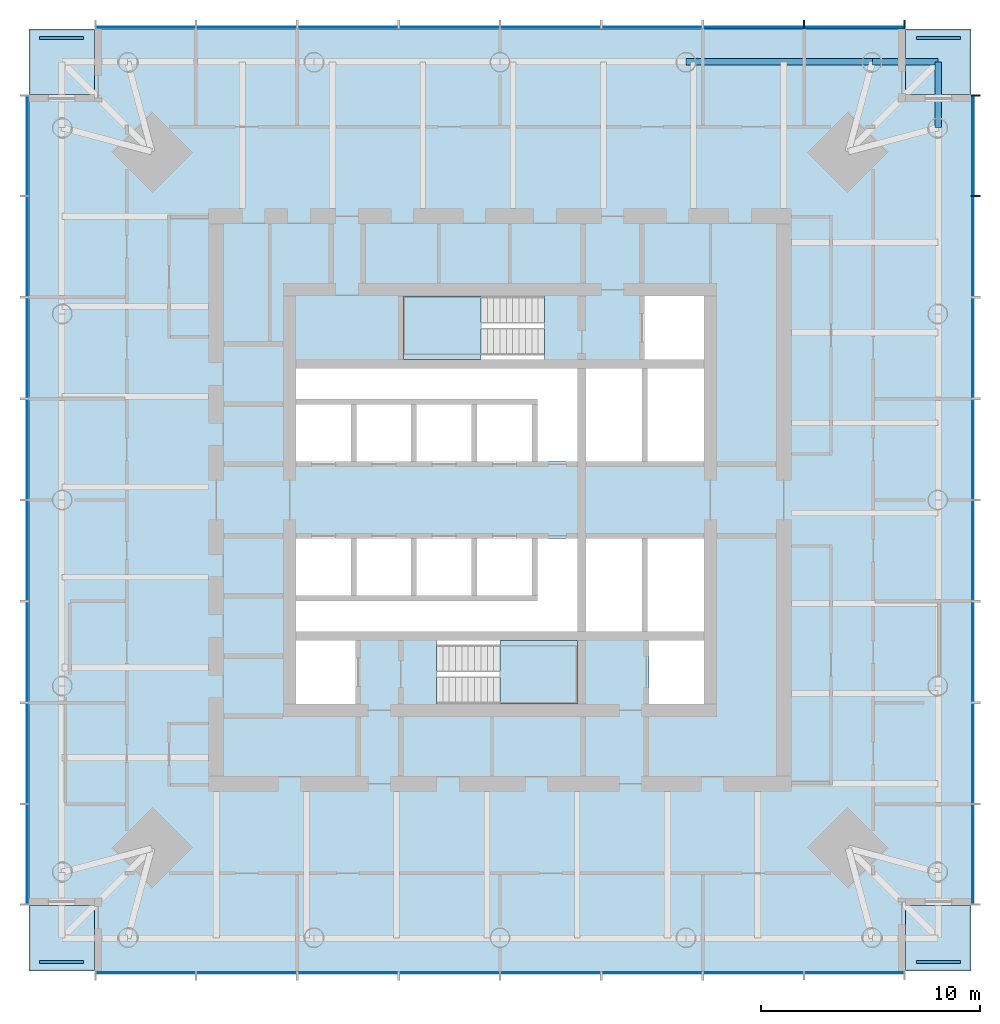
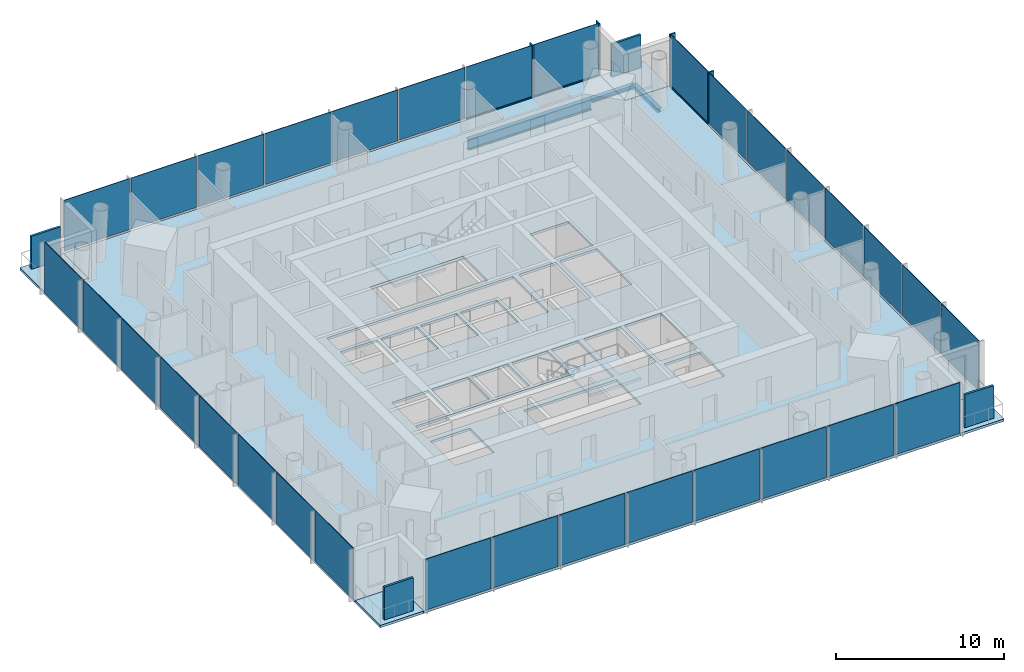
# One storey, part 3 of 9: 36 plates, 7 members, 7 slabs, 3 beams, 6 elements without a shape of their own.
"""IFC4 building model written with IfcOpenShell, lengths in metres."""

from ifc_helpers import new_model, si_unit, direction, frame, origin, origin_2d, place, context, subcontext, project, spatial, polyline, rectangle, i_section, outline, extrude, material, layer, layer_set, material_profile, profile_set, type_object, element, aggregate, save


model = new_model("IFC4")

# Units and contexts
model_context = context("Model", 3, precision=1e-05, world=origin(), true_north=direction((0.0, 1.0)))
body_context = subcontext(model_context, "Body", "Model", "MODEL_VIEW")
ifc_project = project(units=[si_unit("LENGTHUNIT", "METRE"), si_unit("AREAUNIT", "SQUARE_METRE"), si_unit("VOLUMEUNIT", "CUBIC_METRE"), si_unit("PLANEANGLEUNIT", "RADIAN"), si_unit("MASSUNIT", "GRAM", prefix="KILO")], contexts=[model_context])

# Site, building, storey
site_placement = place(None, origin())
site = spatial("IfcSite", under=ifc_project, at=site_placement, CompositionType="ELEMENT")
building_placement = place(site_placement, origin())
building = spatial("IfcBuilding", under=site, at=building_placement, Name="Ostroluk Exchange", CompositionType="ELEMENT")
storey_placement = place(building_placement, frame((0.0, 0.0, 146.39990234375)))
storey = spatial("IfcBuildingStorey", under=building, at=storey_placement, Name="L37", CompositionType="ELEMENT", Elevation=146.39990234375)

# Beams
ifc_material_1 = material(Name="Steel S355", Category="steel")
ifc_material_profile_1 = material_profile(ifc_material_1, i_section(OverallWidth=0.300048828125, OverallDepth=0.300048828125, WebThickness=0.010986328125, FlangeThickness=0.01904296875, FilletRadius=0.027099609375, at=origin_2d()), Name="HEB 300")
ifc_profile_set_1 = profile_set([ifc_material_profile_1], Name="Steel S355")
beam_type_1 = type_object("IfcBeamType", Name="Balcony beam HEB 300", PredefinedType="BEAM", material=ifc_profile_set_1)
for number, where, z_axis, x_axis, name in (
    (1, (64.992919921875, 62.992919921875, -0.329833984375), (0.0, 1.0, 0.0), (-1.0, 0.0, 0.0), "T1 east balcony beam a"),
    (2, (61.992919921875, 65.992919921875, -0.329833984375), (1.0, 0.0, 0.0), (0.0, 1.0, 0.0), "T1 east balcony beam b"),
):
    element("IfcBeam", number, at=place(storey_placement, frame(where, z_axis=z_axis, x_axis=x_axis)), inside=storey, type_object=beam_type_1, Name=name, PredefinedType="BEAM", context=body_context, shape_type="SweptSolid", body=[
        extrude(i_section(OverallWidth=0.300048828125, OverallDepth=0.300048828125, WebThickness=0.010986328125, FlangeThickness=0.01904296875, FilletRadius=0.027099609375, at=origin_2d()), origin(), (0.0, 0.0, 1.0), 3.0),
    ])
ifc_material_2 = material(Name="Steel S355", Category="steel")
ifc_material_profile_2 = material_profile(ifc_material_2, i_section(OverallWidth=0.300048828125, OverallDepth=0.800048828125, WebThickness=0.017578125, FlangeThickness=0.032958984375, FilletRadius=0.030029296875, at=origin_2d()), Name="HEB 800")
ifc_profile_set_2 = profile_set([ifc_material_profile_2], Name="Steel S355")
beam_type_2 = type_object("IfcBeamType", Name="Moment-connected edge beam HEB 800", PredefinedType="SPANDREL", material=ifc_profile_set_2)
beam_placement = place(storey_placement, frame((61.992919921875, 65.992919921875, -0.579833984375), z_axis=(-1.0, 0.0, 0.0), x_axis=(0.0, -1.0, 0.0)))
element("IfcBeam", 3, at=beam_placement, inside=storey, type_object=beam_type_2, Name="T1 north edge beam 1", PredefinedType="SPANDREL", context=body_context, shape_type="SweptSolid", body=[
    extrude(i_section(OverallWidth=0.300048828125, OverallDepth=0.800048828125, WebThickness=0.017578125, FlangeThickness=0.032958984375, FilletRadius=0.030029296875, at=origin_2d()), origin(), (0.0, 0.0, 1.0), 8.49658203125),
])

# Curtain wall, member
ifc_material_3 = material(Name="Laminated clear glass", Category="glass")
curtain_wall_type = type_object("IfcCurtainWallType", Name="Office tower facade", PredefinedType="USERDEFINED", material=ifc_material_3)
curtain_wall_1_placement = place(storey_placement, origin())
curtain_wall_1 = element("IfcCurtainWall", 4, at=curtain_wall_1_placement, inside=storey, type_object=curtain_wall_type, Name="Office tower east facade L37", ObjectType="UNITISED CURTAIN WALL", PredefinedType="USERDEFINED")
ifc_material_4 = material(Name="Aluminium mullion", Category="aluminium")
ifc_material_profile_3 = material_profile(ifc_material_4, rectangle(XDim=0.14990234375, YDim=0.080078125, at=origin_2d()), Name="Sill transom 80 x 150")
ifc_profile_set_3 = profile_set([ifc_material_profile_3], Name="Aluminium mullion")
member_type_1 = type_object("IfcMemberType", Name="Sill transom 80 x 150", PredefinedType="USERDEFINED", material=ifc_profile_set_3)
member_1_placement = place(storey_placement, frame((66.574951171875, 59.9150390625, 0.0400390625), z_axis=(0.0, 1.0, 0.0), x_axis=(-1.0, 0.0, 0.0)))
member_1 = element("IfcMember", 5, at=member_1_placement, type_object=member_type_1, Name="CW-O1 transom 8.1", ObjectType="TRANSOM", PredefinedType="USERDEFINED", context=body_context, shape_type="SweptSolid", body=[
    extrude(rectangle(XDim=0.14990234375, YDim=0.080078125, at=origin_2d()), origin(), (0.0, 0.0, 1.0), 4.5048828125),
])

# Curtain wall, members
curtain_wall_2_placement = place(storey_placement, origin())
curtain_wall_2 = element("IfcCurtainWall", 6, at=curtain_wall_2_placement, inside=storey, type_object=curtain_wall_type, Name="Office tower north facade L37", ObjectType="UNITISED CURTAIN WALL", PredefinedType="USERDEFINED")
member_2_placement = place(storey_placement, frame((63.419921875, 67.574951171875, 0.0400390625), z_axis=(-1.0, 0.0, 0.0), x_axis=(0.0, -1.0, 0.0)))
member_2 = element("IfcMember", 7, at=member_2_placement, type_object=member_type_1, Name="CW-O1 transom 1.1", ObjectType="TRANSOM", PredefinedType="USERDEFINED", context=body_context, shape_type="SweptSolid", body=[
    extrude(rectangle(XDim=0.14990234375, YDim=0.080078125, at=origin_2d()), origin(), (0.0, 0.0, 1.0), 4.5048828125),
])
member_3_placement = place(storey_placement, frame((58.8349609375, 67.574951171875, 0.0400390625), z_axis=(-1.0, 0.0, 0.0), x_axis=(0.0, -1.0, 0.0)))
member_3 = element("IfcMember", 8, at=member_3_placement, type_object=member_type_1, Name="CW-O1 transom 2.1", ObjectType="TRANSOM", PredefinedType="USERDEFINED", context=body_context, shape_type="SweptSolid", body=[
    extrude(rectangle(XDim=0.14990234375, YDim=0.080078125, at=origin_2d()), origin(), (0.0, 0.0, 1.0), 4.544921875),
])

# Member
ifc_material_5 = material(Name="Aluminium mullion with limestone facing", Category="masonry")
ifc_material_profile_4 = material_profile(ifc_material_5, rectangle(XDim=0.39990234375, YDim=0.080078125, at=origin_2d()), Name="Tracery mullion 80 x 400")
ifc_profile_set_4 = profile_set([ifc_material_profile_4], Name="Aluminium mullion with limestone facing")
member_type_2 = type_object("IfcMemberType", Name="Tracery mullion 80 x 400", PredefinedType="MULLION", material=ifc_profile_set_4)
member_4_placement = place(storey_placement, frame((66.699951171875, 59.875, 0.0), z_axis=(0.0, 0.0, 1.0), x_axis=(-1.0, 0.0, 0.0)))
member_4 = element("IfcMember", 9, at=member_4_placement, type_object=member_type_2, Name="CW-O1 mullion 8", PredefinedType="MULLION", context=body_context, shape_type="SweptSolid", body=[
    extrude(rectangle(XDim=0.39990234375, YDim=0.080078125, at=origin_2d()), origin(), (0.0, 0.0, 1.0), 3.800048828125),
])

member_5_placement = place(storey_placement, frame((66.699951171875, 64.4599609375, 0.0), z_axis=(0.0, 0.0, 1.0), x_axis=(-1.0, 0.0, 0.0)))
member_5 = element("IfcMember", 10, at=member_5_placement, type_object=member_type_2, Name="CW-O1 mullion 9", PredefinedType="MULLION", context=body_context, shape_type="SweptSolid", body=[
    extrude(rectangle(XDim=0.39990234375, YDim=0.080078125, at=origin_2d()), origin(), (0.0, 0.0, 1.0), 3.800048828125),
])

member_6_placement = place(storey_placement, frame((63.4599609375, 67.699951171875, 0.0), z_axis=(0.0, 0.0, 1.0), x_axis=(0.0, -1.0, 0.0)))
member_6 = element("IfcMember", 11, at=member_6_placement, type_object=member_type_2, Name="CW-O1 mullion 1", PredefinedType="MULLION", context=body_context, shape_type="SweptSolid", body=[
    extrude(rectangle(XDim=0.39990234375, YDim=0.080078125, at=origin_2d()), origin(), (0.0, 0.0, 1.0), 3.800048828125),
])

member_7_placement = place(storey_placement, frame((58.875, 67.699951171875, 0.0), z_axis=(0.0, 0.0, 1.0), x_axis=(0.0, -1.0, 0.0)))
member_7 = element("IfcMember", 12, at=member_7_placement, type_object=member_type_2, Name="CW-O1 mullion 2", PredefinedType="MULLION", context=body_context, shape_type="SweptSolid", body=[
    extrude(rectangle(XDim=0.39990234375, YDim=0.080078125, at=origin_2d()), origin(), (0.0, 0.0, 1.0), 3.800048828125),
])

# Slabs
ifc_material_6 = material(Name="Concrete C35/45", Category="concrete")
ifc_layer_1 = layer(ifc_material_6, 0.179931640625)
ifc_layer_set_1 = layer_set([ifc_layer_1], Name="Balcony slab 180")
slab_type_1 = type_object("IfcSlabType", Name="Balcony slab 180", PredefinedType="USERDEFINED", material=ifc_layer_set_1)
slab_1_placement = place(storey_placement, frame((0.0, 0.0, -0.179931640625)))
element("IfcSlab", 13, at=slab_1_placement, inside=storey, type_object=slab_type_1, Name="Office tower SE corner balcony L37", ObjectType="BALCONY", PredefinedType="USERDEFINED", context=body_context, shape_type="SweptSolid", body=[
    extrude(outline(polyline([(63.5, 24.5), (66.5, 24.5), (66.5, 27.5), (63.5, 27.5), (63.5, 24.5)])), origin(), (0.0, 0.0, 1.0), 0.179931640625),
])
slab_2_placement = place(storey_placement, frame((0.0, 0.0, -0.179931640625)))
element("IfcSlab", 14, at=slab_2_placement, inside=storey, type_object=slab_type_1, Name="Office tower NE corner balcony L37", ObjectType="BALCONY", PredefinedType="USERDEFINED", context=body_context, shape_type="SweptSolid", body=[
    extrude(outline(polyline([(63.5, 64.5), (66.5, 64.5), (66.5, 67.5), (63.5, 67.5), (63.5, 64.5)])), origin(), (0.0, 0.0, 1.0), 0.179931640625),
])
slab_3_placement = place(storey_placement, frame((0.0, 0.0, -0.179931640625)))
element("IfcSlab", 15, at=slab_3_placement, inside=storey, type_object=slab_type_1, Name="Office tower NW corner balcony L37", ObjectType="BALCONY", PredefinedType="USERDEFINED", context=body_context, shape_type="SweptSolid", body=[
    extrude(outline(polyline([(23.5, 64.5), (26.5, 64.5), (26.5, 67.5), (23.5, 67.5), (23.5, 64.5)])), origin(), (0.0, 0.0, 1.0), 0.179931640625),
])
slab_4_placement = place(storey_placement, frame((0.0, 0.0, -0.179931640625)))
element("IfcSlab", 16, at=slab_4_placement, inside=storey, type_object=slab_type_1, Name="Office tower SW corner balcony L37", ObjectType="BALCONY", PredefinedType="USERDEFINED", context=body_context, shape_type="SweptSolid", body=[
    extrude(outline(polyline([(23.5, 24.5), (26.5, 24.5), (26.5, 27.5), (23.5, 27.5), (23.5, 24.5)])), origin(), (0.0, 0.0, 1.0), 0.179931640625),
])

# Plates
ifc_material_7 = material(Name="Steel S355 trellis with planting", Category="steel")
ifc_layer_2 = layer(ifc_material_7, 0.14990234375)
ifc_layer_set_2 = layer_set([ifc_layer_2], Name="Planted screen 150")
plate_type_1 = type_object("IfcPlateType", Name="Planted screen 150", PredefinedType="USERDEFINED", material=ifc_layer_set_2)
for number, where, z_axis, x_axis, name in (
    (17, (65.0, 24.925048828125, 0.000244140625), (0.0, 0.0, 1.0), (1.0, 0.0, 0.0), "Office tower SE planted screen L37"),
    (18, (65.0, 67.074951171875, 0.000244140625), (0.0, 0.0, 1.0), (1.0, 0.0, 0.0), "Office tower NE planted screen L37"),
    (19, (25.0, 67.074951171875, 0.000244140625), (0.0, 0.0, 1.0), (1.0, 0.0, 0.0), "Office tower NW planted screen L37"),
    (20, (25.0, 24.925048828125, 0.000244140625), (0.0, 0.0, 1.0), (1.0, 0.0, 0.0), "Office tower SW planted screen L37"),
):
    element("IfcPlate", number, at=place(storey_placement, frame(where, z_axis=z_axis, x_axis=x_axis)), inside=storey, type_object=plate_type_1, Name=name, ObjectType="PLANTED SCREEN", PredefinedType="USERDEFINED", context=body_context, shape_type="SweptSolid", body=[
        extrude(rectangle(XDim=2.0, YDim=0.14990234375, at=origin_2d()), origin(), (0.0, 0.0, 1.0), 2.39990234375),
    ])

# Stair, slab
ifc_material_8 = material(Name="Concrete C30/37", Category="concrete")
stair_type = type_object("IfcStairType", Name="Exit stair half turn 3800", PredefinedType="HALF_TURN_STAIR", material=ifc_material_8)
stair_1_placement = place(storey_placement, origin())
stair_1 = element("IfcStair", 21, at=stair_1_placement, inside=storey, type_object=stair_type, Name="Stair T1-S1 L37", PredefinedType="HALF_TURN_STAIR")
ifc_material_9 = material(Name="Concrete C30/37", Category="concrete")
ifc_layer_3 = layer(ifc_material_9, 0.199951171875)
ifc_layer_set_3 = layer_set([ifc_layer_3], Name="Stair landing 200")
slab_type_2 = type_object("IfcSlabType", Name="Stair landing 200", PredefinedType="LANDING", material=ifc_layer_set_3)
slab_5_placement = place(storey_placement, frame((0.0, 0.0, 1.7001953125)))
slab_5 = element("IfcSlab", 22, at=slab_5_placement, type_object=slab_type_2, Name="T1-S1 landing 1", PredefinedType="LANDING", context=body_context, shape_type="SweptSolid", body=[
    extrude(outline(polyline([(45.0, 36.699951171875), (45.0, 39.60009765625), (48.530029296875, 39.60009765625), (48.530029296875, 36.699951171875), (45.0, 36.699951171875)])), origin(), (0.0, 0.0, 1.0), 0.199951171875),
])
aggregate(stair_1, [slab_5])

stair_2_placement = place(storey_placement, origin())
stair_2 = element("IfcStair", 23, at=stair_2_placement, inside=storey, type_object=stair_type, Name="Stair T1-S2 L37", PredefinedType="HALF_TURN_STAIR")
slab_6_placement = place(storey_placement, frame((0.0, 0.0, 1.7001953125)))
slab_6 = element("IfcSlab", 24, at=slab_6_placement, type_object=slab_type_2, Name="T1-S2 landing 1", PredefinedType="LANDING", context=body_context, shape_type="SweptSolid", body=[
    extrude(outline(polyline([(44.1298828125, 52.39990234375), (44.1298828125, 55.300048828125), (40.60009765625, 55.300048828125), (40.60009765625, 52.39990234375), (44.1298828125, 52.39990234375)])), origin(), (0.0, 0.0, 1.0), 0.199951171875),
])
aggregate(stair_2, [slab_6])

# Slab
ifc_material_10 = material(Name="Concrete C35/45", Category="concrete")
ifc_layer_4 = layer(ifc_material_10, 0.179931640625)
ifc_layer_set_4 = layer_set([ifc_layer_4], Name="Tower floor slab 180 composite")
slab_type_3 = type_object("IfcSlabType", Name="Tower floor slab 180 composite", PredefinedType="FLOOR", material=ifc_layer_set_4)
slab_7_placement = place(storey_placement, frame((0.0, 0.0, -0.179931640625)))
element("IfcSlab", 25, at=slab_7_placement, inside=storey, type_object=slab_type_3, Name="Office tower floor slab L37", PredefinedType="FLOOR", context=body_context, shape_type="SweptSolid", body=[
    extrude(outline(polyline([(26.5, 24.5), (63.5, 24.5), (63.5, 27.5), (66.5, 27.5), (66.5, 64.5), (63.5, 64.5), (63.5, 67.5), (26.5, 67.5), (26.5, 64.5), (23.5, 64.5), (23.5, 27.5), (26.5, 27.5), (26.5, 24.5)]), holes=[polyline([(35.699951171875, 36.699951171875), (38.39990234375, 36.699951171875), (38.39990234375, 39.60009765625), (35.699951171875, 39.60009765625), (35.699951171875, 36.699951171875)]), polyline([(42.110107421875, 36.699951171875), (48.530029296875, 36.699951171875), (48.530029296875, 39.60009765625), (42.110107421875, 39.60009765625), (42.110107421875, 36.699951171875)]), polyline([(51.800048828125, 36.699951171875), (54.300048828125, 36.699951171875), (54.300048828125, 39.60009765625), (51.800048828125, 39.60009765625), (51.800048828125, 36.699951171875)]), polyline([(40.60009765625, 52.39990234375), (47.02001953125, 52.39990234375), (47.02001953125, 55.300048828125), (40.60009765625, 55.300048828125), (40.60009765625, 52.39990234375)]), polyline([(51.60009765625, 52.39990234375), (54.300048828125, 52.39990234375), (54.300048828125, 55.300048828125), (51.60009765625, 55.300048828125), (51.60009765625, 52.39990234375)]), polyline([(35.699951171875, 47.75), (38.199951171875, 47.75), (38.199951171875, 50.35009765625), (35.699951171875, 50.35009765625), (35.699951171875, 47.75)]), polyline([(38.449951171875, 47.75), (40.949951171875, 47.75), (40.949951171875, 50.35009765625), (38.449951171875, 50.35009765625), (38.449951171875, 47.75)]), polyline([(41.199951171875, 47.75), (43.699951171875, 47.75), (43.699951171875, 50.35009765625), (41.199951171875, 50.35009765625), (41.199951171875, 47.75)]), polyline([(43.949951171875, 47.75), (46.449951171875, 47.75), (46.449951171875, 50.35009765625), (43.949951171875, 50.35009765625), (43.949951171875, 47.75)]), polyline([(35.699951171875, 41.64990234375), (38.199951171875, 41.64990234375), (38.199951171875, 44.25), (35.699951171875, 44.25), (35.699951171875, 41.64990234375)]), polyline([(38.449951171875, 41.64990234375), (40.949951171875, 41.64990234375), (40.949951171875, 44.25), (38.449951171875, 44.25), (38.449951171875, 41.64990234375)]), polyline([(41.199951171875, 41.64990234375), (43.699951171875, 41.64990234375), (43.699951171875, 44.25), (41.199951171875, 44.25), (41.199951171875, 41.64990234375)]), polyline([(43.949951171875, 41.64990234375), (46.449951171875, 41.64990234375), (46.449951171875, 44.25), (43.949951171875, 44.25), (43.949951171875, 41.64990234375)]), polyline([(48.929931640625, 47.75), (51.489990234375, 47.75), (51.489990234375, 52.0), (48.929931640625, 52.0), (48.929931640625, 47.75)]), polyline([(51.739990234375, 47.75), (54.300048828125, 47.75), (54.300048828125, 52.0), (51.739990234375, 52.0), (51.739990234375, 47.75)]), polyline([(48.929931640625, 40.0), (51.489990234375, 40.0), (51.489990234375, 44.25), (48.929931640625, 44.25), (48.929931640625, 40.0)]), polyline([(51.739990234375, 40.0), (54.300048828125, 40.0), (54.300048828125, 44.25), (51.739990234375, 44.25), (51.739990234375, 40.0)]), polyline([(48.530029296875, 52.0), (48.530029296875, 47.75), (46.699951171875, 47.75), (46.699951171875, 50.60009765625), (35.699951171875, 50.60009765625), (35.699951171875, 52.0), (48.530029296875, 52.0)]), polyline([(35.699951171875, 40.0), (35.699951171875, 41.39990234375), (46.699951171875, 41.39990234375), (46.699951171875, 44.25), (48.530029296875, 44.25), (48.530029296875, 40.0), (35.699951171875, 40.0)])]), origin(), (0.0, 0.0, 1.0), 0.179931640625),
])

# Curtain wall, plates
curtain_wall_3_placement = place(storey_placement, origin())
curtain_wall_3 = element("IfcCurtainWall", 26, at=curtain_wall_3_placement, inside=storey, type_object=curtain_wall_type, Name="Office tower south facade L37", ObjectType="UNITISED CURTAIN WALL", PredefinedType="USERDEFINED")
ifc_material_11 = material(Name="Laminated clear glass", Category="glass")
ifc_layer_5 = layer(ifc_material_11, 0.0439453125)
ifc_layer_set_5 = layer_set([ifc_layer_5], Name="Triple laminated clear glazing 44")
plate_type_2 = type_object("IfcPlateType", Name="Triple laminated clear glazing 44", PredefinedType="CURTAIN_PANEL", material=ifc_layer_set_5)
plate_1_placement = place(storey_placement, frame((28.83251953125, 24.425048828125, 0.080078125), z_axis=(0.0, 0.0, 1.0), x_axis=(1.0, 0.0, 0.0)))
plate_1 = element("IfcPlate", 27, at=plate_1_placement, type_object=plate_type_2, Name="CW-O1 panel 1.1", PredefinedType="CURTAIN_PANEL", context=body_context, shape_type="SweptSolid", body=[
    extrude(rectangle(XDim=4.5048828125, YDim=0.0439453125, at=origin_2d()), origin(), (0.0, 0.0, 1.0), 3.719970703125),
])
plate_2_placement = place(storey_placement, frame((33.4375, 24.425048828125, 0.080078125), z_axis=(0.0, 0.0, 1.0), x_axis=(1.0, 0.0, 0.0)))
plate_2 = element("IfcPlate", 28, at=plate_2_placement, type_object=plate_type_2, Name="CW-O1 panel 2.1", PredefinedType="CURTAIN_PANEL", context=body_context, shape_type="SweptSolid", body=[
    extrude(rectangle(XDim=4.544921875, YDim=0.0439453125, at=origin_2d()), origin(), (0.0, 0.0, 1.0), 3.719970703125),
])
plate_3_placement = place(storey_placement, frame((38.0625, 24.425048828125, 0.080078125), z_axis=(0.0, 0.0, 1.0), x_axis=(1.0, 0.0, 0.0)))
plate_3 = element("IfcPlate", 29, at=plate_3_placement, type_object=plate_type_2, Name="CW-O1 panel 3.1", PredefinedType="CURTAIN_PANEL", context=body_context, shape_type="SweptSolid", body=[
    extrude(rectangle(XDim=4.544921875, YDim=0.0439453125, at=origin_2d()), origin(), (0.0, 0.0, 1.0), 3.719970703125),
])
plate_4_placement = place(storey_placement, frame((42.6875, 24.425048828125, 0.080078125), z_axis=(0.0, 0.0, 1.0), x_axis=(1.0, 0.0, 0.0)))
plate_4 = element("IfcPlate", 30, at=plate_4_placement, type_object=plate_type_2, Name="CW-O1 panel 4.1", PredefinedType="CURTAIN_PANEL", context=body_context, shape_type="SweptSolid", body=[
    extrude(rectangle(XDim=4.544921875, YDim=0.0439453125, at=origin_2d()), origin(), (0.0, 0.0, 1.0), 3.719970703125),
])
plate_5_placement = place(storey_placement, frame((47.3125, 24.425048828125, 0.080078125), z_axis=(0.0, 0.0, 1.0), x_axis=(1.0, 0.0, 0.0)))
plate_5 = element("IfcPlate", 31, at=plate_5_placement, type_object=plate_type_2, Name="CW-O1 panel 5.1", PredefinedType="CURTAIN_PANEL", context=body_context, shape_type="SweptSolid", body=[
    extrude(rectangle(XDim=4.544921875, YDim=0.0439453125, at=origin_2d()), origin(), (0.0, 0.0, 1.0), 3.719970703125),
])
plate_6_placement = place(storey_placement, frame((51.9375, 24.425048828125, 0.080078125), z_axis=(0.0, 0.0, 1.0), x_axis=(1.0, 0.0, 0.0)))
plate_6 = element("IfcPlate", 32, at=plate_6_placement, type_object=plate_type_2, Name="CW-O1 panel 6.1", PredefinedType="CURTAIN_PANEL", context=body_context, shape_type="SweptSolid", body=[
    extrude(rectangle(XDim=4.544921875, YDim=0.0439453125, at=origin_2d()), origin(), (0.0, 0.0, 1.0), 3.719970703125),
])
plate_7_placement = place(storey_placement, frame((56.5625, 24.425048828125, 0.080078125), z_axis=(0.0, 0.0, 1.0), x_axis=(1.0, 0.0, 0.0)))
plate_7 = element("IfcPlate", 33, at=plate_7_placement, type_object=plate_type_2, Name="CW-O1 panel 7.1", PredefinedType="CURTAIN_PANEL", context=body_context, shape_type="SweptSolid", body=[
    extrude(rectangle(XDim=4.544921875, YDim=0.0439453125, at=origin_2d()), origin(), (0.0, 0.0, 1.0), 3.719970703125),
])
plate_8_placement = place(storey_placement, frame((61.16748046875, 24.425048828125, 0.080078125), z_axis=(0.0, 0.0, 1.0), x_axis=(1.0, 0.0, 0.0)))
plate_8 = element("IfcPlate", 34, at=plate_8_placement, type_object=plate_type_2, Name="CW-O1 panel 8.1", PredefinedType="CURTAIN_PANEL", context=body_context, shape_type="SweptSolid", body=[
    extrude(rectangle(XDim=4.5048828125, YDim=0.0439453125, at=origin_2d()), origin(), (0.0, 0.0, 1.0), 3.719970703125),
])
aggregate(curtain_wall_3, [plate_1, plate_2, plate_3, plate_4, plate_5, plate_6, plate_7, plate_8])

# Plate
plate_9_placement = place(storey_placement, frame((66.574951171875, 29.83251953125, 0.080078125), z_axis=(0.0, 0.0, 1.0), x_axis=(0.0, 1.0, 0.0)))
plate_9 = element("IfcPlate", 35, at=plate_9_placement, type_object=plate_type_2, Name="CW-O1 panel 1.1", PredefinedType="CURTAIN_PANEL", context=body_context, shape_type="SweptSolid", body=[
    extrude(rectangle(XDim=4.5048828125, YDim=0.0439453125, at=origin_2d()), origin(), (0.0, 0.0, 1.0), 3.719970703125),
])

plate_10_placement = place(storey_placement, frame((66.574951171875, 34.4375, 0.080078125), z_axis=(0.0, 0.0, 1.0), x_axis=(0.0, 1.0, 0.0)))
plate_10 = element("IfcPlate", 36, at=plate_10_placement, type_object=plate_type_2, Name="CW-O1 panel 2.1", PredefinedType="CURTAIN_PANEL", context=body_context, shape_type="SweptSolid", body=[
    extrude(rectangle(XDim=4.544921875, YDim=0.0439453125, at=origin_2d()), origin(), (0.0, 0.0, 1.0), 3.719970703125),
])

plate_11_placement = place(storey_placement, frame((66.574951171875, 39.0625, 0.080078125), z_axis=(0.0, 0.0, 1.0), x_axis=(0.0, 1.0, 0.0)))
plate_11 = element("IfcPlate", 37, at=plate_11_placement, type_object=plate_type_2, Name="CW-O1 panel 3.1", PredefinedType="CURTAIN_PANEL", context=body_context, shape_type="SweptSolid", body=[
    extrude(rectangle(XDim=4.544921875, YDim=0.0439453125, at=origin_2d()), origin(), (0.0, 0.0, 1.0), 3.719970703125),
])

plate_12_placement = place(storey_placement, frame((66.574951171875, 43.6875, 0.080078125), z_axis=(0.0, 0.0, 1.0), x_axis=(0.0, 1.0, 0.0)))
plate_12 = element("IfcPlate", 38, at=plate_12_placement, type_object=plate_type_2, Name="CW-O1 panel 4.1", PredefinedType="CURTAIN_PANEL", context=body_context, shape_type="SweptSolid", body=[
    extrude(rectangle(XDim=4.544921875, YDim=0.0439453125, at=origin_2d()), origin(), (0.0, 0.0, 1.0), 3.719970703125),
])

plate_13_placement = place(storey_placement, frame((66.574951171875, 48.3125, 0.080078125), z_axis=(0.0, 0.0, 1.0), x_axis=(0.0, 1.0, 0.0)))
plate_13 = element("IfcPlate", 39, at=plate_13_placement, type_object=plate_type_2, Name="CW-O1 panel 5.1", PredefinedType="CURTAIN_PANEL", context=body_context, shape_type="SweptSolid", body=[
    extrude(rectangle(XDim=4.544921875, YDim=0.0439453125, at=origin_2d()), origin(), (0.0, 0.0, 1.0), 3.719970703125),
])

plate_14_placement = place(storey_placement, frame((66.574951171875, 52.9375, 0.080078125), z_axis=(0.0, 0.0, 1.0), x_axis=(0.0, 1.0, 0.0)))
plate_14 = element("IfcPlate", 40, at=plate_14_placement, type_object=plate_type_2, Name="CW-O1 panel 6.1", PredefinedType="CURTAIN_PANEL", context=body_context, shape_type="SweptSolid", body=[
    extrude(rectangle(XDim=4.544921875, YDim=0.0439453125, at=origin_2d()), origin(), (0.0, 0.0, 1.0), 3.719970703125),
])

plate_15_placement = place(storey_placement, frame((66.574951171875, 57.5625, 0.080078125), z_axis=(0.0, 0.0, 1.0), x_axis=(0.0, 1.0, 0.0)))
plate_15 = element("IfcPlate", 41, at=plate_15_placement, type_object=plate_type_2, Name="CW-O1 panel 7.1", PredefinedType="CURTAIN_PANEL", context=body_context, shape_type="SweptSolid", body=[
    extrude(rectangle(XDim=4.544921875, YDim=0.0439453125, at=origin_2d()), origin(), (0.0, 0.0, 1.0), 3.719970703125),
])

plate_16_placement = place(storey_placement, frame((66.574951171875, 62.16748046875, 0.080078125), z_axis=(0.0, 0.0, 1.0), x_axis=(0.0, 1.0, 0.0)))
plate_16 = element("IfcPlate", 42, at=plate_16_placement, type_object=plate_type_2, Name="CW-O1 panel 8.1", PredefinedType="CURTAIN_PANEL", context=body_context, shape_type="SweptSolid", body=[
    extrude(rectangle(XDim=4.5048828125, YDim=0.0439453125, at=origin_2d()), origin(), (0.0, 0.0, 1.0), 3.719970703125),
])

aggregate(curtain_wall_1, [member_4, member_5, plate_9, plate_10, plate_11, plate_12, plate_13, plate_14, plate_15, member_1, plate_16])

plate_17_placement = place(storey_placement, frame((61.16748046875, 67.574951171875, 0.080078125), z_axis=(0.0, 0.0, 1.0), x_axis=(-1.0, 0.0, 0.0)))
plate_17 = element("IfcPlate", 43, at=plate_17_placement, type_object=plate_type_2, Name="CW-O1 panel 1.1", PredefinedType="CURTAIN_PANEL", context=body_context, shape_type="SweptSolid", body=[
    extrude(rectangle(XDim=4.5048828125, YDim=0.0439453125, at=origin_2d()), origin(), (0.0, 0.0, 1.0), 3.719970703125),
])

plate_18_placement = place(storey_placement, frame((56.5625, 67.574951171875, 0.080078125), z_axis=(0.0, 0.0, 1.0), x_axis=(-1.0, 0.0, 0.0)))
plate_18 = element("IfcPlate", 44, at=plate_18_placement, type_object=plate_type_2, Name="CW-O1 panel 2.1", PredefinedType="CURTAIN_PANEL", context=body_context, shape_type="SweptSolid", body=[
    extrude(rectangle(XDim=4.544921875, YDim=0.0439453125, at=origin_2d()), origin(), (0.0, 0.0, 1.0), 3.719970703125),
])

plate_19_placement = place(storey_placement, frame((51.9375, 67.574951171875, 0.080078125), z_axis=(0.0, 0.0, 1.0), x_axis=(-1.0, 0.0, 0.0)))
plate_19 = element("IfcPlate", 45, at=plate_19_placement, type_object=plate_type_2, Name="CW-O1 panel 3.1", PredefinedType="CURTAIN_PANEL", context=body_context, shape_type="SweptSolid", body=[
    extrude(rectangle(XDim=4.544921875, YDim=0.0439453125, at=origin_2d()), origin(), (0.0, 0.0, 1.0), 3.719970703125),
])

plate_20_placement = place(storey_placement, frame((47.3125, 67.574951171875, 0.080078125), z_axis=(0.0, 0.0, 1.0), x_axis=(-1.0, 0.0, 0.0)))
plate_20 = element("IfcPlate", 46, at=plate_20_placement, type_object=plate_type_2, Name="CW-O1 panel 4.1", PredefinedType="CURTAIN_PANEL", context=body_context, shape_type="SweptSolid", body=[
    extrude(rectangle(XDim=4.544921875, YDim=0.0439453125, at=origin_2d()), origin(), (0.0, 0.0, 1.0), 3.719970703125),
])

plate_21_placement = place(storey_placement, frame((42.6875, 67.574951171875, 0.080078125), z_axis=(0.0, 0.0, 1.0), x_axis=(-1.0, 0.0, 0.0)))
plate_21 = element("IfcPlate", 47, at=plate_21_placement, type_object=plate_type_2, Name="CW-O1 panel 5.1", PredefinedType="CURTAIN_PANEL", context=body_context, shape_type="SweptSolid", body=[
    extrude(rectangle(XDim=4.544921875, YDim=0.0439453125, at=origin_2d()), origin(), (0.0, 0.0, 1.0), 3.719970703125),
])

plate_22_placement = place(storey_placement, frame((38.0625, 67.574951171875, 0.080078125), z_axis=(0.0, 0.0, 1.0), x_axis=(-1.0, 0.0, 0.0)))
plate_22 = element("IfcPlate", 48, at=plate_22_placement, type_object=plate_type_2, Name="CW-O1 panel 6.1", PredefinedType="CURTAIN_PANEL", context=body_context, shape_type="SweptSolid", body=[
    extrude(rectangle(XDim=4.544921875, YDim=0.0439453125, at=origin_2d()), origin(), (0.0, 0.0, 1.0), 3.719970703125),
])

plate_23_placement = place(storey_placement, frame((33.4375, 67.574951171875, 0.080078125), z_axis=(0.0, 0.0, 1.0), x_axis=(-1.0, 0.0, 0.0)))
plate_23 = element("IfcPlate", 49, at=plate_23_placement, type_object=plate_type_2, Name="CW-O1 panel 7.1", PredefinedType="CURTAIN_PANEL", context=body_context, shape_type="SweptSolid", body=[
    extrude(rectangle(XDim=4.544921875, YDim=0.0439453125, at=origin_2d()), origin(), (0.0, 0.0, 1.0), 3.719970703125),
])

plate_24_placement = place(storey_placement, frame((28.83251953125, 67.574951171875, 0.080078125), z_axis=(0.0, 0.0, 1.0), x_axis=(-1.0, 0.0, 0.0)))
plate_24 = element("IfcPlate", 50, at=plate_24_placement, type_object=plate_type_2, Name="CW-O1 panel 8.1", PredefinedType="CURTAIN_PANEL", context=body_context, shape_type="SweptSolid", body=[
    extrude(rectangle(XDim=4.5048828125, YDim=0.0439453125, at=origin_2d()), origin(), (0.0, 0.0, 1.0), 3.719970703125),
])

aggregate(curtain_wall_2, [member_6, member_7, member_2, plate_17, member_3, plate_18, plate_19, plate_20, plate_21, plate_22, plate_23, plate_24])

# Curtain wall, plates
curtain_wall_4_placement = place(storey_placement, origin())
curtain_wall_4 = element("IfcCurtainWall", 51, at=curtain_wall_4_placement, inside=storey, type_object=curtain_wall_type, Name="Office tower west facade L37", ObjectType="UNITISED CURTAIN WALL", PredefinedType="USERDEFINED")
plate_25_placement = place(storey_placement, frame((23.425048828125, 62.16748046875, 0.080078125), z_axis=(0.0, 0.0, 1.0), x_axis=(0.0, -1.0, 0.0)))
plate_25 = element("IfcPlate", 52, at=plate_25_placement, type_object=plate_type_2, Name="CW-O1 panel 1.1", PredefinedType="CURTAIN_PANEL", context=body_context, shape_type="SweptSolid", body=[
    extrude(rectangle(XDim=4.5048828125, YDim=0.0439453125, at=origin_2d()), origin(), (0.0, 0.0, 1.0), 3.719970703125),
])
plate_26_placement = place(storey_placement, frame((23.425048828125, 57.5625, 0.080078125), z_axis=(0.0, 0.0, 1.0), x_axis=(0.0, -1.0, 0.0)))
plate_26 = element("IfcPlate", 53, at=plate_26_placement, type_object=plate_type_2, Name="CW-O1 panel 2.1", PredefinedType="CURTAIN_PANEL", context=body_context, shape_type="SweptSolid", body=[
    extrude(rectangle(XDim=4.544921875, YDim=0.0439453125, at=origin_2d()), origin(), (0.0, 0.0, 1.0), 3.719970703125),
])
plate_27_placement = place(storey_placement, frame((23.425048828125, 52.9375, 0.080078125), z_axis=(0.0, 0.0, 1.0), x_axis=(0.0, -1.0, 0.0)))
plate_27 = element("IfcPlate", 54, at=plate_27_placement, type_object=plate_type_2, Name="CW-O1 panel 3.1", PredefinedType="CURTAIN_PANEL", context=body_context, shape_type="SweptSolid", body=[
    extrude(rectangle(XDim=4.544921875, YDim=0.0439453125, at=origin_2d()), origin(), (0.0, 0.0, 1.0), 3.719970703125),
])
plate_28_placement = place(storey_placement, frame((23.425048828125, 48.3125, 0.080078125), z_axis=(0.0, 0.0, 1.0), x_axis=(0.0, -1.0, 0.0)))
plate_28 = element("IfcPlate", 55, at=plate_28_placement, type_object=plate_type_2, Name="CW-O1 panel 4.1", PredefinedType="CURTAIN_PANEL", context=body_context, shape_type="SweptSolid", body=[
    extrude(rectangle(XDim=4.544921875, YDim=0.0439453125, at=origin_2d()), origin(), (0.0, 0.0, 1.0), 3.719970703125),
])
plate_29_placement = place(storey_placement, frame((23.425048828125, 43.6875, 0.080078125), z_axis=(0.0, 0.0, 1.0), x_axis=(0.0, -1.0, 0.0)))
plate_29 = element("IfcPlate", 56, at=plate_29_placement, type_object=plate_type_2, Name="CW-O1 panel 5.1", PredefinedType="CURTAIN_PANEL", context=body_context, shape_type="SweptSolid", body=[
    extrude(rectangle(XDim=4.544921875, YDim=0.0439453125, at=origin_2d()), origin(), (0.0, 0.0, 1.0), 3.719970703125),
])
plate_30_placement = place(storey_placement, frame((23.425048828125, 39.0625, 0.080078125), z_axis=(0.0, 0.0, 1.0), x_axis=(0.0, -1.0, 0.0)))
plate_30 = element("IfcPlate", 57, at=plate_30_placement, type_object=plate_type_2, Name="CW-O1 panel 6.1", PredefinedType="CURTAIN_PANEL", context=body_context, shape_type="SweptSolid", body=[
    extrude(rectangle(XDim=4.544921875, YDim=0.0439453125, at=origin_2d()), origin(), (0.0, 0.0, 1.0), 3.719970703125),
])
plate_31_placement = place(storey_placement, frame((23.425048828125, 34.4375, 0.080078125), z_axis=(0.0, 0.0, 1.0), x_axis=(0.0, -1.0, 0.0)))
plate_31 = element("IfcPlate", 58, at=plate_31_placement, type_object=plate_type_2, Name="CW-O1 panel 7.1", PredefinedType="CURTAIN_PANEL", context=body_context, shape_type="SweptSolid", body=[
    extrude(rectangle(XDim=4.544921875, YDim=0.0439453125, at=origin_2d()), origin(), (0.0, 0.0, 1.0), 3.719970703125),
])
plate_32_placement = place(storey_placement, frame((23.425048828125, 29.83251953125, 0.080078125), z_axis=(0.0, 0.0, 1.0), x_axis=(0.0, -1.0, 0.0)))
plate_32 = element("IfcPlate", 59, at=plate_32_placement, type_object=plate_type_2, Name="CW-O1 panel 8.1", PredefinedType="CURTAIN_PANEL", context=body_context, shape_type="SweptSolid", body=[
    extrude(rectangle(XDim=4.5048828125, YDim=0.0439453125, at=origin_2d()), origin(), (0.0, 0.0, 1.0), 3.719970703125),
])
aggregate(curtain_wall_4, [plate_25, plate_26, plate_27, plate_28, plate_29, plate_30, plate_31, plate_32])

save(model, "model.ifc")
